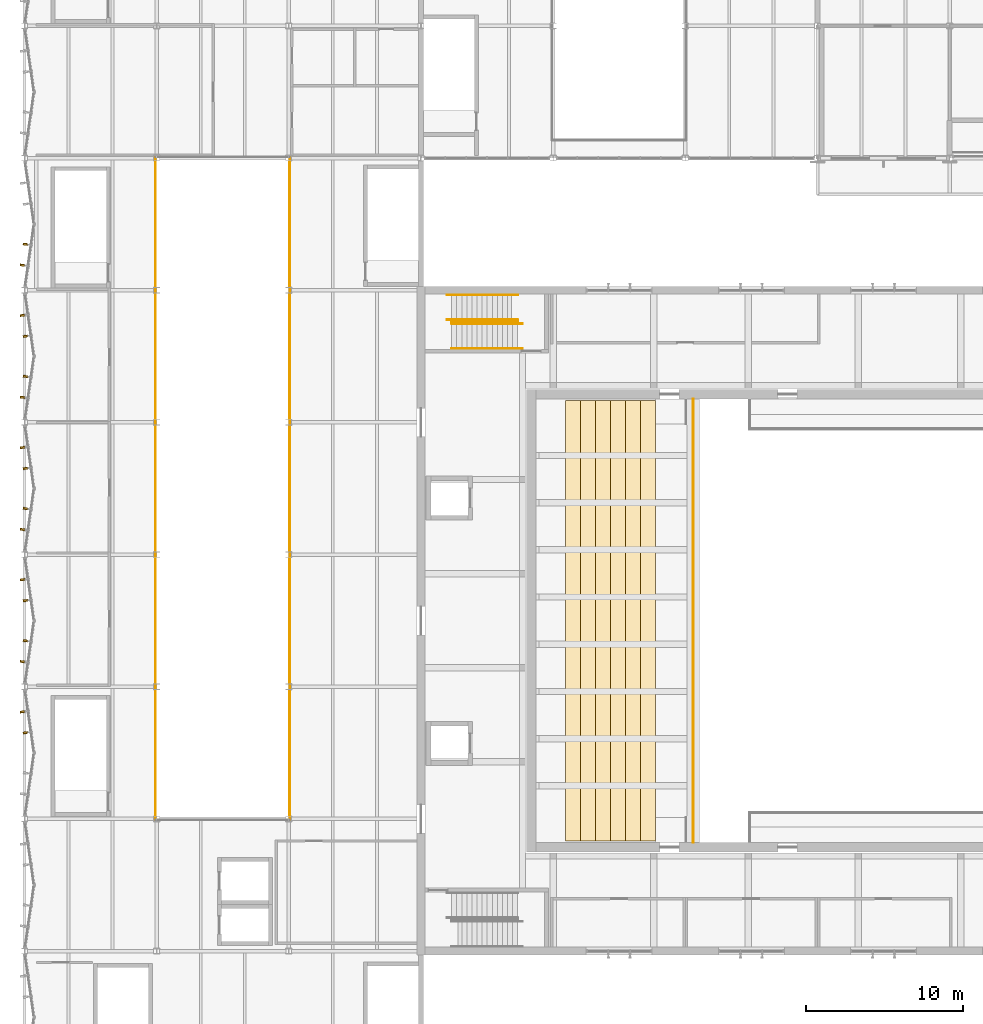
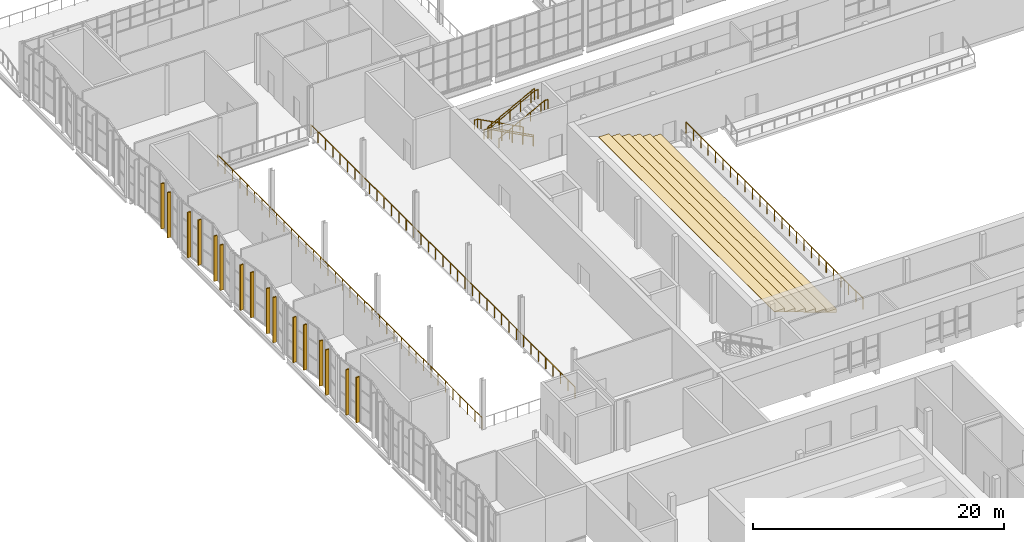
# One storey, part 108 of 116: 16 shading devices, 9 railings, 1 covering.
"""IFC4 building model written with IfcOpenShell, lengths in metres."""

from ifc_helpers import new_model, si_unit, direction, frame, origin, origin_2d, place, context, subcontext, project, spatial, polyline, rectangle, circle, outline, extrude, material, layer, layer_set, type_object, element, save


model = new_model("IFC4")

# Units and contexts
model_context = context("Model", 3, precision=1e-05, world=origin(), true_north=direction((0.0, 1.0)))
body_context = subcontext(model_context, "Body", "Model", "MODEL_VIEW")
ifc_project = project(units=[si_unit("LENGTHUNIT", "METRE"), si_unit("AREAUNIT", "SQUARE_METRE"), si_unit("VOLUMEUNIT", "CUBIC_METRE"), si_unit("PLANEANGLEUNIT", "RADIAN"), si_unit("MASSUNIT", "GRAM", prefix="KILO")], contexts=[model_context])

# Site, building, storey
site_placement = place(None, origin())
site = spatial("IfcSite", under=ifc_project, at=site_placement, CompositionType="ELEMENT")
building_placement = place(site_placement, origin())
building = spatial("IfcBuilding", under=site, at=building_placement, Name="Ljudholm Concert House", CompositionType="ELEMENT")
storey_placement = place(building_placement, frame((0.0, 0.0, 10.199951171875)))
storey = spatial("IfcBuildingStorey", under=building, at=storey_placement, Name="L02", CompositionType="ELEMENT", Elevation=10.199951171875)

# Shading devices
ifc_material_1 = material(Name="Aluminium extrusion with timber-grain PVDF finish", Category="aluminium")
shading_device_type = type_object("IfcShadingDeviceType", Name="FACADE FIN 300x120", PredefinedType="SHUTTER", material=ifc_material_1)
for number, where, z_axis, x_axis, name in (
    (1, (4.06396484375, 68.27783203125, 0.2001953125), (0.0, 0.0, 1.0), (-0.989949493662, -0.141421356235, 0.0), "Facade fin"),
    (2, (3.874267578125, 69.605224609375, 0.2001953125), (0.0, 0.0, 1.0), (-0.989949493662, -0.141421356235, 0.0), "Facade fin"),
    (3, (3.874267578125, 72.794677734375, 0.2001953125), (0.0, 0.0, 1.0), (-0.989949493662, 0.141421356235, 0.0), "Facade fin"),
    (4, (4.06396484375, 74.1220703125, 0.2001953125), (0.0, 0.0, 1.0), (-0.989949493662, 0.141421356235, 0.0), "Facade fin"),
    (5, (4.06396484375, 76.677978515625, 0.2001953125), (0.0, 0.0, 1.0), (-0.989949493662, -0.141421356235, 0.0), "Facade fin"),
    (6, (3.874267578125, 78.00537109375, 0.2001953125), (0.0, 0.0, 1.0), (-0.989949493662, -0.141421356235, 0.0), "Facade fin"),
    (7, (3.874267578125, 81.194580078125, 0.2001953125), (0.0, 0.0, 1.0), (-0.989949493662, 0.141421356235, 0.0), "Facade fin"),
    (8, (4.06396484375, 82.52197265625, 0.2001953125), (0.0, 0.0, 1.0), (-0.989949493662, 0.141421356235, 0.0), "Facade fin"),
    (9, (4.06396484375, 85.077880859375, 0.2001953125), (0.0, 0.0, 1.0), (-0.989949493662, -0.141421356235, 0.0), "Facade fin"),
    (10, (3.874267578125, 86.4052734375, 0.2001953125), (0.0, 0.0, 1.0), (-0.989949493662, -0.141421356235, 0.0), "Facade fin"),
    (11, (3.874267578125, 89.5947265625, 0.2001953125), (0.0, 0.0, 1.0), (-0.989949493662, 0.141421356235, 0.0), "Facade fin"),
    (12, (4.06396484375, 90.922119140625, 0.2001953125), (0.0, 0.0, 1.0), (-0.989949493662, 0.141421356235, 0.0), "Facade fin"),
    (13, (4.06396484375, 93.47802734375, 0.2001953125), (0.0, 0.0, 1.0), (-0.989949493662, -0.141421356235, 0.0), "Facade fin"),
    (14, (3.874267578125, 94.805419921875, 0.2001953125), (0.0, 0.0, 1.0), (-0.989949493662, -0.141421356235, 0.0), "Facade fin"),
    (15, (3.874267578125, 97.99462890625, 0.2001953125), (0.0, 0.0, 1.0), (-0.989949493662, 0.141421356235, 0.0), "Facade fin"),
    (16, (4.06396484375, 99.322021484375, 0.2001953125), (0.0, 0.0, 1.0), (-0.989949493662, 0.141421356235, 0.0), "Facade fin"),
):
    element("IfcShadingDevice", number, at=place(storey_placement, frame(where, z_axis=z_axis, x_axis=x_axis)), inside=storey, type_object=shading_device_type, Name=name, PredefinedType="SHUTTER", context=body_context, shape_type="SweptSolid", body=[
        extrude(rectangle(XDim=0.300048828125, YDim=0.1201171875, at=origin_2d()), origin(), (0.0, 0.0, 1.0), 4.39990234375),
    ])

# Railings
ifc_material_2 = material(Name="Steel ASTM A36", Category="steel")
railing_type_1 = type_object("IfcRailingType", Name="GUARD 1100", PredefinedType="GUARDRAIL", material=ifc_material_2)
railing_1_placement = place(storey_placement, frame((35.35009765625, 94.47509765625, 0.17138671875)))
element("IfcRailing", 17, at=railing_1_placement, inside=storey, type_object=railing_type_1, Name="Guard", PredefinedType="GUARDRAIL", context=body_context, shape_type="SweptSolid", body=[
    extrude(circle(Radius=0.02490234375, at=origin_2d()), frame((0.0, 0.0, 1.0751953125), z_axis=(-0.883305776083, 0.0, 0.468797297281), x_axis=(0.0, -1.0, 0.0)), (0.0, 0.0, 1.0), 1.09716796875),
    extrude(circle(Radius=0.02490234375, at=origin_2d()), frame((-0.96923828125, 0.0, 1.58935546875), z_axis=(-0.883397901953, 0.0, 0.468623672925), x_axis=(0.0, -1.0, 0.0)), (0.0, 0.0, 1.0), 1.09716796875),
    extrude(circle(Radius=0.02490234375, at=origin_2d()), frame((-1.9384765625, 0.0, 2.103515625), z_axis=(-0.883305776083, 0.0, 0.468797297281), x_axis=(0.0, -1.0, 0.0)), (0.0, 0.0, 1.0), 1.09716796875),
    extrude(circle(Radius=0.02490234375, at=origin_2d()), frame((-2.90771484375, 0.0, 2.6181640625), z_axis=(-0.883397901953, 0.0, 0.468623672925), x_axis=(0.0, -1.0, 0.0)), (0.0, 0.0, 1.0), 1.09716796875),
    extrude(circle(Radius=0.02490234375, at=origin_2d()), frame((-3.876953125, 0.0, 3.13232421875), z_axis=(-0.883219342352, 0.0, 0.468960119089), x_axis=(0.0, -1.0, 0.0)), (0.0, 0.0, 1.0), 0.365966796875),
    extrude(circle(Radius=0.02099609375, at=origin_2d()), origin(), (0.0, 0.0, 1.0), 1.050048828125),
    extrude(circle(Radius=0.02099609375, at=origin_2d()), frame((-0.96923828125, 0.0, 0.514404296875)), (0.0, 0.0, 1.0), 1.050048828125),
    extrude(circle(Radius=0.02099609375, at=origin_2d()), frame((-1.9384765625, 0.0, 1.028564453125)), (0.0, 0.0, 1.0), 1.050048828125),
    extrude(circle(Radius=0.02099609375, at=origin_2d()), frame((-2.90771484375, 0.0, 1.54296875)), (0.0, 0.0, 1.0), 1.050048828125),
    extrude(circle(Radius=0.02099609375, at=origin_2d()), frame((-3.876953125, 0.0, 2.05712890625)), (0.0, 0.0, 1.0), 1.050048828125),
    extrude(circle(Radius=0.02099609375, at=origin_2d()), frame((-4.2001953125, 0.0, 2.228759765625)), (0.0, 0.0, 1.0), 1.050048828125),
])
railing_2_placement = place(storey_placement, frame((31.14990234375, 94.324951171875, 2.571533203125)))
element("IfcRailing", 18, at=railing_2_placement, inside=storey, type_object=railing_type_1, Name="Guard", PredefinedType="GUARDRAIL", context=body_context, shape_type="SweptSolid", body=[
    extrude(circle(Radius=0.02490234375, at=origin_2d()), frame((0.0, 0.0, 1.0751953125), z_axis=(0.883397901953, 0.0, 0.468623672925), x_axis=(0.0, 1.0, 0.0)), (0.0, 0.0, 1.0), 1.09716796875),
    extrude(circle(Radius=0.02490234375, at=origin_2d()), frame((0.96923828125, 0.0, 1.58935546875), z_axis=(0.883305776083, 0.0, 0.468797297281), x_axis=(0.0, 1.0, 0.0)), (0.0, 0.0, 1.0), 1.09716796875),
    extrude(circle(Radius=0.02490234375, at=origin_2d()), frame((1.9384765625, 0.0, 2.103515625), z_axis=(0.883397901953, 0.0, 0.468623672925), x_axis=(0.0, 1.0, 0.0)), (0.0, 0.0, 1.0), 1.09716796875),
    extrude(circle(Radius=0.02490234375, at=origin_2d()), frame((2.90771484375, 0.0, 2.61767578125), z_axis=(0.883305776083, 0.0, 0.468797297281), x_axis=(0.0, 1.0, 0.0)), (0.0, 0.0, 1.0), 1.09716796875),
    extrude(circle(Radius=0.02490234375, at=origin_2d()), frame((3.876953125, 0.0, 3.13232421875), z_axis=(0.883495578036, 0.0, 0.468439498324), x_axis=(0.0, 1.0, 0.0)), (0.0, 0.0, 1.0), 0.365966796875),
    extrude(circle(Radius=0.02099609375, at=origin_2d()), origin(), (0.0, 0.0, 1.0), 1.050048828125),
    extrude(circle(Radius=0.02099609375, at=origin_2d()), frame((0.96923828125, 0.0, 0.51416015625)), (0.0, 0.0, 1.0), 1.050048828125),
    extrude(circle(Radius=0.02099609375, at=origin_2d()), frame((1.9384765625, 0.0, 1.028564453125)), (0.0, 0.0, 1.0), 1.050048828125),
    extrude(circle(Radius=0.02099609375, at=origin_2d()), frame((2.90771484375, 0.0, 1.542724609375)), (0.0, 0.0, 1.0), 1.050048828125),
    extrude(circle(Radius=0.02099609375, at=origin_2d()), frame((3.876953125, 0.0, 2.05712890625)), (0.0, 0.0, 1.0), 1.050048828125),
    extrude(circle(Radius=0.02099609375, at=origin_2d()), frame((4.2001953125, 0.0, 2.228515625)), (0.0, 0.0, 1.0), 1.050048828125),
])
railing_3_placement = place(storey_placement, frame((46.5, 61.300048828125, 0.536376953125)))
element("IfcRailing", 19, at=railing_3_placement, inside=storey, type_object=railing_type_1, Name="Tier guard", PredefinedType="GUARDRAIL", context=body_context, shape_type="SweptSolid", body=[
    extrude(circle(Radius=0.02490234375, at=origin_2d()), frame((0.0, 0.0, 1.0751953125), z_axis=(0.0, 1.0, 0.0), x_axis=(-1.0, 0.0, 0.0)), (0.0, 0.0, 1.0), 28.199951171875),
    extrude(circle(Radius=0.02099609375, at=origin_2d()), origin(), (0.0, 0.0, 1.0), 1.050048828125),
    extrude(circle(Radius=0.02099609375, at=origin_2d()), frame((0.0, 1.175048828125, 0.0)), (0.0, 0.0, 1.0), 1.050048828125),
    extrude(circle(Radius=0.02099609375, at=origin_2d()), frame((0.0, 2.35009765625, 0.0)), (0.0, 0.0, 1.0), 1.050048828125),
    extrude(circle(Radius=0.02099609375, at=origin_2d()), frame((0.0, 3.52490234375, 0.0)), (0.0, 0.0, 1.0), 1.050048828125),
    extrude(circle(Radius=0.02099609375, at=origin_2d()), frame((0.0, 4.699951171875, 0.0)), (0.0, 0.0, 1.0), 1.050048828125),
    extrude(circle(Radius=0.02099609375, at=origin_2d()), frame((0.0, 5.875, 0.0)), (0.0, 0.0, 1.0), 1.050048828125),
    extrude(circle(Radius=0.02099609375, at=origin_2d()), frame((0.0, 7.050048828125, 0.0)), (0.0, 0.0, 1.0), 1.050048828125),
    extrude(circle(Radius=0.02099609375, at=origin_2d()), frame((0.0, 8.22509765625, 0.0)), (0.0, 0.0, 1.0), 1.050048828125),
    extrude(circle(Radius=0.02099609375, at=origin_2d()), frame((0.0, 9.39990234375, 0.0)), (0.0, 0.0, 1.0), 1.050048828125),
    extrude(circle(Radius=0.02099609375, at=origin_2d()), frame((0.0, 10.574951171875, 0.0)), (0.0, 0.0, 1.0), 1.050048828125),
    extrude(circle(Radius=0.02099609375, at=origin_2d()), frame((0.0, 11.75, 0.0)), (0.0, 0.0, 1.0), 1.050048828125),
    extrude(circle(Radius=0.02099609375, at=origin_2d()), frame((0.0, 12.925048828125, 0.0)), (0.0, 0.0, 1.0), 1.050048828125),
    extrude(circle(Radius=0.02099609375, at=origin_2d()), frame((0.0, 14.10009765625, 0.0)), (0.0, 0.0, 1.0), 1.050048828125),
    extrude(circle(Radius=0.02099609375, at=origin_2d()), frame((0.0, 15.27490234375, 0.0)), (0.0, 0.0, 1.0), 1.050048828125),
    extrude(circle(Radius=0.02099609375, at=origin_2d()), frame((0.0, 16.449951171875, 0.0)), (0.0, 0.0, 1.0), 1.050048828125),
    extrude(circle(Radius=0.02099609375, at=origin_2d()), frame((0.0, 17.625, 0.0)), (0.0, 0.0, 1.0), 1.050048828125),
    extrude(circle(Radius=0.02099609375, at=origin_2d()), frame((0.0, 18.800048828125, 0.0)), (0.0, 0.0, 1.0), 1.050048828125),
    extrude(circle(Radius=0.02099609375, at=origin_2d()), frame((0.0, 19.974853515625, 0.0)), (0.0, 0.0, 1.0), 1.050048828125),
    extrude(circle(Radius=0.02099609375, at=origin_2d()), frame((0.0, 21.14990234375, 0.0)), (0.0, 0.0, 1.0), 1.050048828125),
    extrude(circle(Radius=0.02099609375, at=origin_2d()), frame((0.0, 22.324951171875, 0.0)), (0.0, 0.0, 1.0), 1.050048828125),
    extrude(circle(Radius=0.02099609375, at=origin_2d()), frame((0.0, 23.5, 0.0)), (0.0, 0.0, 1.0), 1.050048828125),
    extrude(circle(Radius=0.02099609375, at=origin_2d()), frame((0.0, 24.675048828125, 0.0)), (0.0, 0.0, 1.0), 1.050048828125),
    extrude(circle(Radius=0.02099609375, at=origin_2d()), frame((0.0, 25.849853515625, 0.0)), (0.0, 0.0, 1.0), 1.050048828125),
    extrude(circle(Radius=0.02099609375, at=origin_2d()), frame((0.0, 27.02490234375, 0.0)), (0.0, 0.0, 1.0), 1.050048828125),
    extrude(circle(Radius=0.02099609375, at=origin_2d()), frame((0.0, 28.199951171875, 0.0)), (0.0, 0.0, 1.0), 1.050048828125),
])
railing_4_placement = place(storey_placement, frame((20.8701171875, 62.760009765625, 0.0)))
element("IfcRailing", 20, at=railing_4_placement, inside=storey, type_object=railing_type_1, Name="Atrium guard", PredefinedType="GUARDRAIL", context=body_context, shape_type="SweptSolid", body=[
    extrude(circle(Radius=0.02490234375, at=origin_2d()), frame((0.0, 0.0, 1.0751953125), z_axis=(0.0, 1.0, 0.0), x_axis=(-1.0, 0.0, 0.0)), (0.0, 0.0, 1.0), 42.080078125),
    extrude(circle(Radius=0.02099609375, at=origin_2d()), origin(), (0.0, 0.0, 1.0), 1.050048828125),
    extrude(circle(Radius=0.02099609375, at=origin_2d()), frame((0.0, 1.1689453125, 0.0)), (0.0, 0.0, 1.0), 1.050048828125),
    extrude(circle(Radius=0.02099609375, at=origin_2d()), frame((0.0, 2.337890625, 0.0)), (0.0, 0.0, 1.0), 1.050048828125),
    extrude(circle(Radius=0.02099609375, at=origin_2d()), frame((0.0, 3.506591796875, 0.0)), (0.0, 0.0, 1.0), 1.050048828125),
    extrude(circle(Radius=0.02099609375, at=origin_2d()), frame((0.0, 4.675537109375, 0.0)), (0.0, 0.0, 1.0), 1.050048828125),
    extrude(circle(Radius=0.02099609375, at=origin_2d()), frame((0.0, 5.844482421875, 0.0)), (0.0, 0.0, 1.0), 1.050048828125),
    extrude(circle(Radius=0.02099609375, at=origin_2d()), frame((0.0, 7.013427734375, 0.0)), (0.0, 0.0, 1.0), 1.050048828125),
    extrude(circle(Radius=0.02099609375, at=origin_2d()), frame((0.0, 8.18212890625, 0.0)), (0.0, 0.0, 1.0), 1.050048828125),
    extrude(circle(Radius=0.02099609375, at=origin_2d()), frame((0.0, 9.35107421875, 0.0)), (0.0, 0.0, 1.0), 1.050048828125),
    extrude(circle(Radius=0.02099609375, at=origin_2d()), frame((0.0, 10.52001953125, 0.0)), (0.0, 0.0, 1.0), 1.050048828125),
    extrude(circle(Radius=0.02099609375, at=origin_2d()), frame((0.0, 11.68896484375, 0.0)), (0.0, 0.0, 1.0), 1.050048828125),
    extrude(circle(Radius=0.02099609375, at=origin_2d()), frame((0.0, 12.85791015625, 0.0)), (0.0, 0.0, 1.0), 1.050048828125),
    extrude(circle(Radius=0.02099609375, at=origin_2d()), frame((0.0, 14.026611328125, 0.0)), (0.0, 0.0, 1.0), 1.050048828125),
    extrude(circle(Radius=0.02099609375, at=origin_2d()), frame((0.0, 15.195556640625, 0.0)), (0.0, 0.0, 1.0), 1.050048828125),
    extrude(circle(Radius=0.02099609375, at=origin_2d()), frame((0.0, 16.364501953125, 0.0)), (0.0, 0.0, 1.0), 1.050048828125),
    extrude(circle(Radius=0.02099609375, at=origin_2d()), frame((0.0, 17.533447265625, 0.0)), (0.0, 0.0, 1.0), 1.050048828125),
    extrude(circle(Radius=0.02099609375, at=origin_2d()), frame((0.0, 18.7021484375, 0.0)), (0.0, 0.0, 1.0), 1.050048828125),
    extrude(circle(Radius=0.02099609375, at=origin_2d()), frame((0.0, 19.87109375, 0.0)), (0.0, 0.0, 1.0), 1.050048828125),
    extrude(circle(Radius=0.02099609375, at=origin_2d()), frame((0.0, 21.0400390625, 0.0)), (0.0, 0.0, 1.0), 1.050048828125),
    extrude(circle(Radius=0.02099609375, at=origin_2d()), frame((0.0, 22.208984375, 0.0)), (0.0, 0.0, 1.0), 1.050048828125),
    extrude(circle(Radius=0.02099609375, at=origin_2d()), frame((0.0, 23.3779296875, 0.0)), (0.0, 0.0, 1.0), 1.050048828125),
    extrude(circle(Radius=0.02099609375, at=origin_2d()), frame((0.0, 24.546630859375, 0.0)), (0.0, 0.0, 1.0), 1.050048828125),
    extrude(circle(Radius=0.02099609375, at=origin_2d()), frame((0.0, 25.715576171875, 0.0)), (0.0, 0.0, 1.0), 1.050048828125),
    extrude(circle(Radius=0.02099609375, at=origin_2d()), frame((0.0, 26.884521484375, 0.0)), (0.0, 0.0, 1.0), 1.050048828125),
    extrude(circle(Radius=0.02099609375, at=origin_2d()), frame((0.0, 28.053466796875, 0.0)), (0.0, 0.0, 1.0), 1.050048828125),
    extrude(circle(Radius=0.02099609375, at=origin_2d()), frame((0.0, 29.22216796875, 0.0)), (0.0, 0.0, 1.0), 1.050048828125),
    extrude(circle(Radius=0.02099609375, at=origin_2d()), frame((0.0, 30.39111328125, 0.0)), (0.0, 0.0, 1.0), 1.050048828125),
    extrude(circle(Radius=0.02099609375, at=origin_2d()), frame((0.0, 31.56005859375, 0.0)), (0.0, 0.0, 1.0), 1.050048828125),
    extrude(circle(Radius=0.02099609375, at=origin_2d()), frame((0.0, 32.72900390625, 0.0)), (0.0, 0.0, 1.0), 1.050048828125),
    extrude(circle(Radius=0.02099609375, at=origin_2d()), frame((0.0, 33.89794921875, 0.0)), (0.0, 0.0, 1.0), 1.050048828125),
    extrude(circle(Radius=0.02099609375, at=origin_2d()), frame((0.0, 35.066650390625, 0.0)), (0.0, 0.0, 1.0), 1.050048828125),
    extrude(circle(Radius=0.02099609375, at=origin_2d()), frame((0.0, 36.235595703125, 0.0)), (0.0, 0.0, 1.0), 1.050048828125),
    extrude(circle(Radius=0.02099609375, at=origin_2d()), frame((0.0, 37.404541015625, 0.0)), (0.0, 0.0, 1.0), 1.050048828125),
    extrude(circle(Radius=0.02099609375, at=origin_2d()), frame((0.0, 38.573486328125, 0.0)), (0.0, 0.0, 1.0), 1.050048828125),
    extrude(circle(Radius=0.02099609375, at=origin_2d()), frame((0.0, 39.7421875, 0.0)), (0.0, 0.0, 1.0), 1.050048828125),
    extrude(circle(Radius=0.02099609375, at=origin_2d()), frame((0.0, 40.9111328125, 0.0)), (0.0, 0.0, 1.0), 1.050048828125),
    extrude(circle(Radius=0.02099609375, at=origin_2d()), frame((0.0, 42.080078125, 0.0)), (0.0, 0.0, 1.0), 1.050048828125),
])
railing_5_placement = place(storey_placement, frame((12.330078125, 104.840087890625, 0.0)))
element("IfcRailing", 21, at=railing_5_placement, inside=storey, type_object=railing_type_1, Name="Atrium guard", PredefinedType="GUARDRAIL", context=body_context, shape_type="SweptSolid", body=[
    extrude(circle(Radius=0.02490234375, at=origin_2d()), frame((0.0, 0.0, 1.0751953125), z_axis=(0.0, -1.0, 0.0), x_axis=(1.0, 0.0, 0.0)), (0.0, 0.0, 1.0), 42.080078125),
    extrude(circle(Radius=0.02099609375, at=origin_2d()), origin(), (0.0, 0.0, 1.0), 1.050048828125),
    extrude(circle(Radius=0.02099609375, at=origin_2d()), frame((0.0, -1.1689453125, 0.0)), (0.0, 0.0, 1.0), 1.050048828125),
    extrude(circle(Radius=0.02099609375, at=origin_2d()), frame((0.0, -2.337890625, 0.0)), (0.0, 0.0, 1.0), 1.050048828125),
    extrude(circle(Radius=0.02099609375, at=origin_2d()), frame((0.0, -3.506591796875, 0.0)), (0.0, 0.0, 1.0), 1.050048828125),
    extrude(circle(Radius=0.02099609375, at=origin_2d()), frame((0.0, -4.675537109375, 0.0)), (0.0, 0.0, 1.0), 1.050048828125),
    extrude(circle(Radius=0.02099609375, at=origin_2d()), frame((0.0, -5.844482421875, 0.0)), (0.0, 0.0, 1.0), 1.050048828125),
    extrude(circle(Radius=0.02099609375, at=origin_2d()), frame((0.0, -7.013427734375, 0.0)), (0.0, 0.0, 1.0), 1.050048828125),
    extrude(circle(Radius=0.02099609375, at=origin_2d()), frame((0.0, -8.18212890625, 0.0)), (0.0, 0.0, 1.0), 1.050048828125),
    extrude(circle(Radius=0.02099609375, at=origin_2d()), frame((0.0, -9.35107421875, 0.0)), (0.0, 0.0, 1.0), 1.050048828125),
    extrude(circle(Radius=0.02099609375, at=origin_2d()), frame((0.0, -10.52001953125, 0.0)), (0.0, 0.0, 1.0), 1.050048828125),
    extrude(circle(Radius=0.02099609375, at=origin_2d()), frame((0.0, -11.68896484375, 0.0)), (0.0, 0.0, 1.0), 1.050048828125),
    extrude(circle(Radius=0.02099609375, at=origin_2d()), frame((0.0, -12.85791015625, 0.0)), (0.0, 0.0, 1.0), 1.050048828125),
    extrude(circle(Radius=0.02099609375, at=origin_2d()), frame((0.0, -14.026611328125, 0.0)), (0.0, 0.0, 1.0), 1.050048828125),
    extrude(circle(Radius=0.02099609375, at=origin_2d()), frame((0.0, -15.195556640625, 0.0)), (0.0, 0.0, 1.0), 1.050048828125),
    extrude(circle(Radius=0.02099609375, at=origin_2d()), frame((0.0, -16.364501953125, 0.0)), (0.0, 0.0, 1.0), 1.050048828125),
    extrude(circle(Radius=0.02099609375, at=origin_2d()), frame((0.0, -17.533447265625, 0.0)), (0.0, 0.0, 1.0), 1.050048828125),
    extrude(circle(Radius=0.02099609375, at=origin_2d()), frame((0.0, -18.7021484375, 0.0)), (0.0, 0.0, 1.0), 1.050048828125),
    extrude(circle(Radius=0.02099609375, at=origin_2d()), frame((0.0, -19.87109375, 0.0)), (0.0, 0.0, 1.0), 1.050048828125),
    extrude(circle(Radius=0.02099609375, at=origin_2d()), frame((0.0, -21.0400390625, 0.0)), (0.0, 0.0, 1.0), 1.050048828125),
    extrude(circle(Radius=0.02099609375, at=origin_2d()), frame((0.0, -22.208984375, 0.0)), (0.0, 0.0, 1.0), 1.050048828125),
    extrude(circle(Radius=0.02099609375, at=origin_2d()), frame((0.0, -23.3779296875, 0.0)), (0.0, 0.0, 1.0), 1.050048828125),
    extrude(circle(Radius=0.02099609375, at=origin_2d()), frame((0.0, -24.546630859375, 0.0)), (0.0, 0.0, 1.0), 1.050048828125),
    extrude(circle(Radius=0.02099609375, at=origin_2d()), frame((0.0, -25.715576171875, 0.0)), (0.0, 0.0, 1.0), 1.050048828125),
    extrude(circle(Radius=0.02099609375, at=origin_2d()), frame((0.0, -26.884521484375, 0.0)), (0.0, 0.0, 1.0), 1.050048828125),
    extrude(circle(Radius=0.02099609375, at=origin_2d()), frame((0.0, -28.053466796875, 0.0)), (0.0, 0.0, 1.0), 1.050048828125),
    extrude(circle(Radius=0.02099609375, at=origin_2d()), frame((0.0, -29.22216796875, 0.0)), (0.0, 0.0, 1.0), 1.050048828125),
    extrude(circle(Radius=0.02099609375, at=origin_2d()), frame((0.0, -30.39111328125, 0.0)), (0.0, 0.0, 1.0), 1.050048828125),
    extrude(circle(Radius=0.02099609375, at=origin_2d()), frame((0.0, -31.56005859375, 0.0)), (0.0, 0.0, 1.0), 1.050048828125),
    extrude(circle(Radius=0.02099609375, at=origin_2d()), frame((0.0, -32.72900390625, 0.0)), (0.0, 0.0, 1.0), 1.050048828125),
    extrude(circle(Radius=0.02099609375, at=origin_2d()), frame((0.0, -33.89794921875, 0.0)), (0.0, 0.0, 1.0), 1.050048828125),
    extrude(circle(Radius=0.02099609375, at=origin_2d()), frame((0.0, -35.066650390625, 0.0)), (0.0, 0.0, 1.0), 1.050048828125),
    extrude(circle(Radius=0.02099609375, at=origin_2d()), frame((0.0, -36.235595703125, 0.0)), (0.0, 0.0, 1.0), 1.050048828125),
    extrude(circle(Radius=0.02099609375, at=origin_2d()), frame((0.0, -37.404541015625, 0.0)), (0.0, 0.0, 1.0), 1.050048828125),
    extrude(circle(Radius=0.02099609375, at=origin_2d()), frame((0.0, -38.573486328125, 0.0)), (0.0, 0.0, 1.0), 1.050048828125),
    extrude(circle(Radius=0.02099609375, at=origin_2d()), frame((0.0, -39.7421875, 0.0)), (0.0, 0.0, 1.0), 1.050048828125),
    extrude(circle(Radius=0.02099609375, at=origin_2d()), frame((0.0, -40.9111328125, 0.0)), (0.0, 0.0, 1.0), 1.050048828125),
    extrude(circle(Radius=0.02099609375, at=origin_2d()), frame((0.0, -42.080078125, 0.0)), (0.0, 0.0, 1.0), 1.050048828125),
])
ifc_material_3 = material(Name="Steel ASTM A36", Category="steel")
railing_type_2 = type_object("IfcRailingType", Name="HANDRAIL 900", PredefinedType="HANDRAIL", material=ifc_material_3)
railing_6_placement = place(storey_placement, frame((35.35009765625, 94.52490234375, 0.17138671875)))
element("IfcRailing", 22, at=railing_6_placement, inside=storey, type_object=railing_type_2, Name="Handrail", PredefinedType="HANDRAIL", context=body_context, shape_type="SweptSolid", body=[
    extrude(circle(Radius=0.0224609375, at=origin_2d()), frame((0.0, 0.0, 0.87744140625), z_axis=(-0.883305776083, 0.0, 0.468797297281), x_axis=(0.0, -1.0, 0.0)), (0.0, 0.0, 1.0), 1.09716796875),
    extrude(circle(Radius=0.0224609375, at=origin_2d()), frame((-0.96923828125, 0.0, 1.391845703125), z_axis=(-0.883397901953, 0.0, 0.468623672925), x_axis=(0.0, -1.0, 0.0)), (0.0, 0.0, 1.0), 1.09716796875),
    extrude(circle(Radius=0.0224609375, at=origin_2d()), frame((-1.9384765625, 0.0, 1.906005859375), z_axis=(-0.883305776083, 0.0, 0.468797297281), x_axis=(0.0, -1.0, 0.0)), (0.0, 0.0, 1.0), 1.09716796875),
    extrude(circle(Radius=0.0224609375, at=origin_2d()), frame((-2.90771484375, 0.0, 2.42041015625), z_axis=(-0.883397901953, 0.0, 0.468623672925), x_axis=(0.0, -1.0, 0.0)), (0.0, 0.0, 1.0), 1.09716796875),
    extrude(circle(Radius=0.0224609375, at=origin_2d()), frame((-3.876953125, 0.0, 2.9345703125), z_axis=(-0.883219342352, 0.0, 0.468960119089), x_axis=(0.0, -1.0, 0.0)), (0.0, 0.0, 1.0), 0.365966796875),
    extrude(circle(Radius=0.0224609375, at=origin_2d()), frame((-4.2001953125, 0.0, 3.106201171875), z_axis=(-1.0, 0.0, 0.0), x_axis=(0.0, -1.0, 0.0)), (0.0, 0.0, 1.0), 0.2998046875),
    extrude(circle(Radius=0.02099609375, at=origin_2d()), origin(), (0.0, 0.0, 1.0), 0.85498046875),
    extrude(circle(Radius=0.02099609375, at=origin_2d()), frame((-0.96923828125, 0.0, 0.514404296875)), (0.0, 0.0, 1.0), 0.85498046875),
    extrude(circle(Radius=0.02099609375, at=origin_2d()), frame((-1.9384765625, 0.0, 1.028564453125)), (0.0, 0.0, 1.0), 0.85498046875),
    extrude(circle(Radius=0.02099609375, at=origin_2d()), frame((-2.90771484375, 0.0, 1.54296875)), (0.0, 0.0, 1.0), 0.85498046875),
    extrude(circle(Radius=0.02099609375, at=origin_2d()), frame((-3.876953125, 0.0, 2.05712890625)), (0.0, 0.0, 1.0), 0.85498046875),
    extrude(circle(Radius=0.02099609375, at=origin_2d()), frame((-4.2001953125, 0.0, 2.228759765625)), (0.0, 0.0, 1.0), 0.85498046875),
    extrude(circle(Radius=0.02099609375, at=origin_2d()), frame((-4.5, 0.0, 2.228759765625)), (0.0, 0.0, 1.0), 0.85498046875),
])
railing_7_placement = place(storey_placement, frame((35.35009765625, 96.10009765625, 0.17138671875)))
element("IfcRailing", 23, at=railing_7_placement, inside=storey, type_object=railing_type_2, Name="Handrail", PredefinedType="HANDRAIL", context=body_context, shape_type="SweptSolid", body=[
    extrude(circle(Radius=0.0224609375, at=origin_2d()), frame((0.0, 0.0, 0.87744140625), z_axis=(-0.883305776083, 0.0, 0.468797297281), x_axis=(0.0, -1.0, 0.0)), (0.0, 0.0, 1.0), 1.09716796875),
    extrude(circle(Radius=0.0224609375, at=origin_2d()), frame((-0.96923828125, 0.0, 1.391845703125), z_axis=(-0.883397901953, 0.0, 0.468623672925), x_axis=(0.0, -1.0, 0.0)), (0.0, 0.0, 1.0), 1.09716796875),
    extrude(circle(Radius=0.0224609375, at=origin_2d()), frame((-1.9384765625, 0.0, 1.906005859375), z_axis=(-0.883305776083, 0.0, 0.468797297281), x_axis=(0.0, -1.0, 0.0)), (0.0, 0.0, 1.0), 1.09716796875),
    extrude(circle(Radius=0.0224609375, at=origin_2d()), frame((-2.90771484375, 0.0, 2.42041015625), z_axis=(-0.883397901953, 0.0, 0.468623672925), x_axis=(0.0, -1.0, 0.0)), (0.0, 0.0, 1.0), 1.09716796875),
    extrude(circle(Radius=0.0224609375, at=origin_2d()), frame((-3.876953125, 0.0, 2.9345703125), z_axis=(-0.883219342352, 0.0, 0.468960119089), x_axis=(0.0, -1.0, 0.0)), (0.0, 0.0, 1.0), 0.365966796875),
    extrude(circle(Radius=0.0224609375, at=origin_2d()), frame((-4.2001953125, 0.0, 3.106201171875), z_axis=(-1.0, 0.0, 0.0), x_axis=(0.0, -1.0, 0.0)), (0.0, 0.0, 1.0), 0.2998046875),
    extrude(circle(Radius=0.02099609375, at=origin_2d()), origin(), (0.0, 0.0, 1.0), 0.85498046875),
    extrude(circle(Radius=0.02099609375, at=origin_2d()), frame((-0.96923828125, 0.0, 0.514404296875)), (0.0, 0.0, 1.0), 0.85498046875),
    extrude(circle(Radius=0.02099609375, at=origin_2d()), frame((-1.9384765625, 0.0, 1.028564453125)), (0.0, 0.0, 1.0), 0.85498046875),
    extrude(circle(Radius=0.02099609375, at=origin_2d()), frame((-2.90771484375, 0.0, 1.54296875)), (0.0, 0.0, 1.0), 0.85498046875),
    extrude(circle(Radius=0.02099609375, at=origin_2d()), frame((-3.876953125, 0.0, 2.05712890625)), (0.0, 0.0, 1.0), 0.85498046875),
    extrude(circle(Radius=0.02099609375, at=origin_2d()), frame((-4.2001953125, 0.0, 2.228759765625)), (0.0, 0.0, 1.0), 0.85498046875),
    extrude(circle(Radius=0.02099609375, at=origin_2d()), frame((-4.5, 0.0, 2.228759765625)), (0.0, 0.0, 1.0), 0.85498046875),
])
railing_8_placement = place(storey_placement, frame((31.14990234375, 94.27490234375, 2.571533203125)))
element("IfcRailing", 24, at=railing_8_placement, inside=storey, type_object=railing_type_2, Name="Handrail", PredefinedType="HANDRAIL", context=body_context, shape_type="SweptSolid", body=[
    extrude(circle(Radius=0.0224609375, at=origin_2d()), frame((0.0, 0.0, 0.87744140625), z_axis=(0.883397901953, 0.0, 0.468623672925), x_axis=(0.0, 1.0, 0.0)), (0.0, 0.0, 1.0), 1.09716796875),
    extrude(circle(Radius=0.0224609375, at=origin_2d()), frame((0.96923828125, 0.0, 1.3916015625), z_axis=(0.883305776083, 0.0, 0.468797297281), x_axis=(0.0, 1.0, 0.0)), (0.0, 0.0, 1.0), 1.09716796875),
    extrude(circle(Radius=0.0224609375, at=origin_2d()), frame((1.9384765625, 0.0, 1.906005859375), z_axis=(0.883397901953, 0.0, 0.468623672925), x_axis=(0.0, 1.0, 0.0)), (0.0, 0.0, 1.0), 1.09716796875),
    extrude(circle(Radius=0.0224609375, at=origin_2d()), frame((2.90771484375, 0.0, 2.420166015625), z_axis=(0.883305776083, 0.0, 0.468797297281), x_axis=(0.0, 1.0, 0.0)), (0.0, 0.0, 1.0), 1.09716796875),
    extrude(circle(Radius=0.0224609375, at=origin_2d()), frame((3.876953125, 0.0, 2.9345703125), z_axis=(0.883495578036, 0.0, 0.468439498324), x_axis=(0.0, 1.0, 0.0)), (0.0, 0.0, 1.0), 0.365966796875),
    extrude(circle(Radius=0.0224609375, at=origin_2d()), frame((4.2001953125, 0.0, 3.10595703125), z_axis=(1.0, 0.0, 0.0), x_axis=(0.0, 1.0, 0.0)), (0.0, 0.0, 1.0), 0.2998046875),
    extrude(circle(Radius=0.02099609375, at=origin_2d()), origin(), (0.0, 0.0, 1.0), 0.85498046875),
    extrude(circle(Radius=0.02099609375, at=origin_2d()), frame((0.96923828125, 0.0, 0.51416015625)), (0.0, 0.0, 1.0), 0.85498046875),
    extrude(circle(Radius=0.02099609375, at=origin_2d()), frame((1.9384765625, 0.0, 1.028564453125)), (0.0, 0.0, 1.0), 0.85498046875),
    extrude(circle(Radius=0.02099609375, at=origin_2d()), frame((2.90771484375, 0.0, 1.542724609375)), (0.0, 0.0, 1.0), 0.85498046875),
    extrude(circle(Radius=0.02099609375, at=origin_2d()), frame((3.876953125, 0.0, 2.05712890625)), (0.0, 0.0, 1.0), 0.85498046875),
    extrude(circle(Radius=0.02099609375, at=origin_2d()), frame((4.2001953125, 0.0, 2.228515625)), (0.0, 0.0, 1.0), 0.85498046875),
    extrude(circle(Radius=0.02099609375, at=origin_2d()), frame((4.5, 0.0, 2.228515625)), (0.0, 0.0, 1.0), 0.85498046875),
])
railing_9_placement = place(storey_placement, frame((31.14990234375, 92.699951171875, 2.571533203125)))
element("IfcRailing", 25, at=railing_9_placement, inside=storey, type_object=railing_type_2, Name="Handrail", PredefinedType="HANDRAIL", context=body_context, shape_type="SweptSolid", body=[
    extrude(circle(Radius=0.0224609375, at=origin_2d()), frame((0.0, 0.0, 0.87744140625), z_axis=(0.883397901953, 0.0, 0.468623672925), x_axis=(0.0, 1.0, 0.0)), (0.0, 0.0, 1.0), 1.09716796875),
    extrude(circle(Radius=0.0224609375, at=origin_2d()), frame((0.96923828125, 0.0, 1.3916015625), z_axis=(0.883305776083, 0.0, 0.468797297281), x_axis=(0.0, 1.0, 0.0)), (0.0, 0.0, 1.0), 1.09716796875),
    extrude(circle(Radius=0.0224609375, at=origin_2d()), frame((1.9384765625, 0.0, 1.906005859375), z_axis=(0.883397901953, 0.0, 0.468623672925), x_axis=(0.0, 1.0, 0.0)), (0.0, 0.0, 1.0), 1.09716796875),
    extrude(circle(Radius=0.0224609375, at=origin_2d()), frame((2.90771484375, 0.0, 2.420166015625), z_axis=(0.883305776083, 0.0, 0.468797297281), x_axis=(0.0, 1.0, 0.0)), (0.0, 0.0, 1.0), 1.09716796875),
    extrude(circle(Radius=0.0224609375, at=origin_2d()), frame((3.876953125, 0.0, 2.9345703125), z_axis=(0.883495578036, 0.0, 0.468439498324), x_axis=(0.0, 1.0, 0.0)), (0.0, 0.0, 1.0), 0.365966796875),
    extrude(circle(Radius=0.0224609375, at=origin_2d()), frame((4.2001953125, 0.0, 3.10595703125), z_axis=(1.0, 0.0, 0.0), x_axis=(0.0, 1.0, 0.0)), (0.0, 0.0, 1.0), 0.2998046875),
    extrude(circle(Radius=0.02099609375, at=origin_2d()), origin(), (0.0, 0.0, 1.0), 0.85498046875),
    extrude(circle(Radius=0.02099609375, at=origin_2d()), frame((0.96923828125, 0.0, 0.51416015625)), (0.0, 0.0, 1.0), 0.85498046875),
    extrude(circle(Radius=0.02099609375, at=origin_2d()), frame((1.9384765625, 0.0, 1.028564453125)), (0.0, 0.0, 1.0), 0.85498046875),
    extrude(circle(Radius=0.02099609375, at=origin_2d()), frame((2.90771484375, 0.0, 1.542724609375)), (0.0, 0.0, 1.0), 0.85498046875),
    extrude(circle(Radius=0.02099609375, at=origin_2d()), frame((3.876953125, 0.0, 2.05712890625)), (0.0, 0.0, 1.0), 0.85498046875),
    extrude(circle(Radius=0.02099609375, at=origin_2d()), frame((4.2001953125, 0.0, 2.228515625)), (0.0, 0.0, 1.0), 0.85498046875),
    extrude(circle(Radius=0.02099609375, at=origin_2d()), frame((4.5, 0.0, 2.228515625)), (0.0, 0.0, 1.0), 0.85498046875),
])

# Covering
ifc_material_4 = material(Name="Timber seating tread", Category="wood")
ifc_layer = layer(ifc_material_4, 0.030029296875)
ifc_layer_set = layer_set([ifc_layer], Name="Timber seating tread")
covering_type = type_object("IfcCoveringType", Name="TIMBER SEATING TREAD FLOOR FINISH 30", PredefinedType="FLOORING", material=ifc_layer_set)
covering_placement = place(storey_placement, frame((44.10009765625, 75.39990234375, -10.199951171875), z_axis=(0.0, 0.0, 1.0), x_axis=(-1.0, 0.0, 0.0)))
element("IfcCovering", 26, at=covering_placement, inside=storey, type_object=covering_type, Name="Second tier seating steps", PredefinedType="FLOORING", context=body_context, shape_type="SweptSolid", body=[
    extrude(outline(polyline([(0.0, 11.2021484375), (5.699951171875, 13.2421875), (5.699951171875, 13.272216796875), (4.75, 13.272216796875), (4.75, 12.93212890625), (3.800048828125, 12.93212890625), (3.800048828125, 12.592041015625), (2.85009765625, 12.592041015625), (2.85009765625, 12.252197265625), (1.89990234375, 12.252197265625), (1.89990234375, 11.912109375), (0.949951171875, 11.912109375), (0.949951171875, 11.572021484375), (0.0, 11.572021484375), (0.0, 11.2021484375)])), frame((0.0, 14.0, 0.0), z_axis=(0.0, -1.0, 0.0), x_axis=(1.0, 0.0, 0.0)), (0.0, 0.0, 1.0), 28.0),
])

save(model, "model.ifc")
